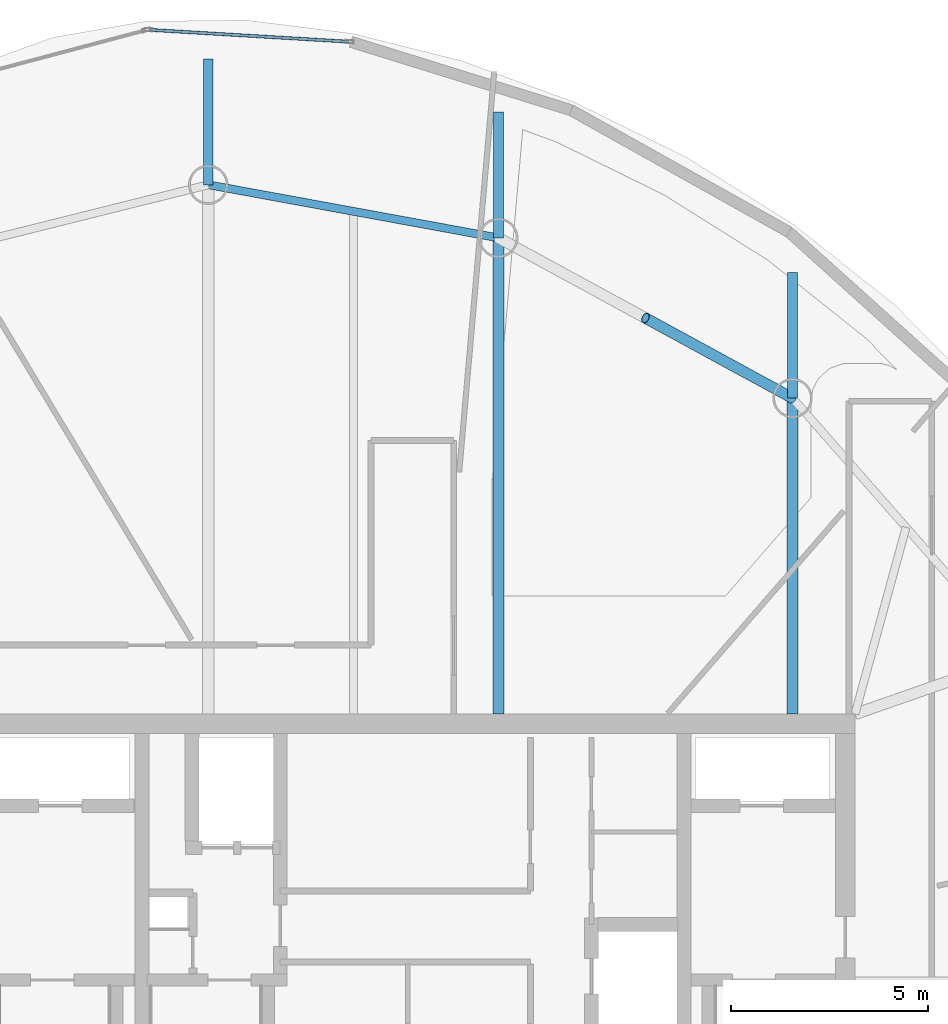
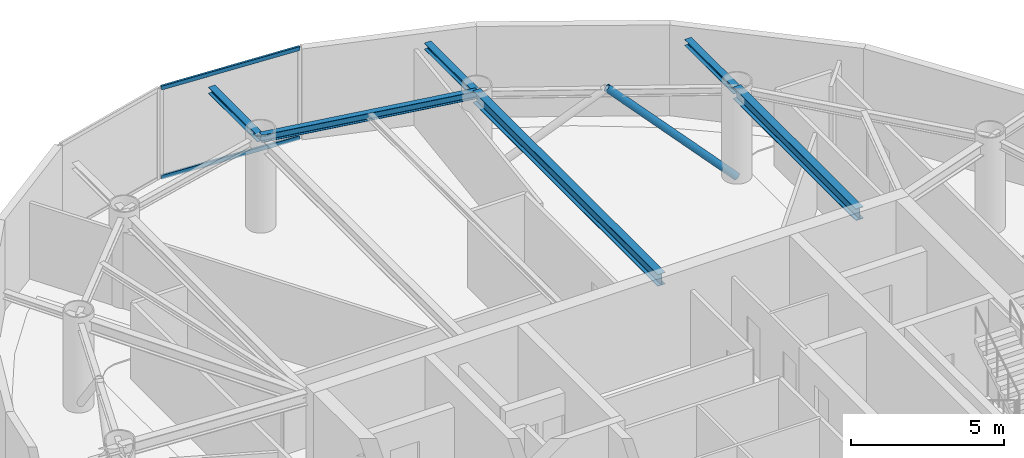
# One storey, part 10 of 19: 6 beams, 3 members, 1 element without a shape of its own.
"""IFC4 building model written with IfcOpenShell, lengths in metres."""

from ifc_helpers import new_model, si_unit, direction, frame, origin, origin_2d, place, context, subcontext, project, spatial, hollow_rectangle, hollow_circle, i_section, extrude, material, layer, layer_set, material_profile, profile_set, type_object, element, aggregate, save


model = new_model("IFC4")

# Units and contexts
model_context = context("Model", 3, precision=1e-05, world=origin(), true_north=direction((0.0, 1.0)))
body_context = subcontext(model_context, "Body", "Model", "MODEL_VIEW")
ifc_project = project(units=[si_unit("LENGTHUNIT", "METRE"), si_unit("AREAUNIT", "SQUARE_METRE"), si_unit("VOLUMEUNIT", "CUBIC_METRE"), si_unit("PLANEANGLEUNIT", "RADIAN"), si_unit("MASSUNIT", "GRAM", prefix="KILO")], contexts=[model_context])

# Site, building, storey
site_placement = place(None, origin())
site = spatial("IfcSite", under=ifc_project, at=site_placement, CompositionType="ELEMENT")
building_placement = place(site_placement, origin())
building = spatial("IfcBuilding", under=site, at=building_placement, Name="Bramvorn Convention Spire", CompositionType="ELEMENT")
storey_placement = place(building_placement, frame((0.0, 0.0, 292.10009765625)))
storey = spatial("IfcBuildingStorey", under=building, at=storey_placement, Name="L74", CompositionType="ELEMENT", Elevation=292.10009765625)

# Beams
ifc_material_1 = material(Name="Steel CSA G40.21 Grade 350 (350W)", Category="steel")
ifc_material_profile_1 = material_profile(ifc_material_1, i_section(OverallWidth=0.25390625, OverallDepth=0.2529296875, WebThickness=0.008544921875, FlangeThickness=0.01416015625, FilletRadius=0.011962890625, at=origin_2d()))
ifc_profile_set_1 = profile_set([ifc_material_profile_1], Name="Steel CSA G40.21 Grade 350 (350W) - W250X73")
beam_type_1 = type_object("IfcBeamType", Name="BM-W250X73", PredefinedType="BEAM", material=ifc_profile_set_1)
for number, where, z_axis, x_axis, name in (
    (1, (47.662353515625, 41.476806640625, 3.45849609375), (0.0, 1.0, 0.0), (-1.0, 0.0, 0.0), "L74 slab-edge cantilever tip beam MC06"),
    (2, (40.1845703125, 45.55078125, 3.45849609375), (0.0, 1.0, 0.0), (-1.0, 0.0, 0.0), "L74 slab-edge cantilever tip beam MC07"),
    (3, (32.8115234375, 46.90087890625, 3.45849609375), (0.0, 1.0, 0.0), (-1.0, 0.0, 0.0), "L74 slab-edge cantilever tip beam MC08"),
):
    element("IfcBeam", number, at=place(storey_placement, frame(where, z_axis=z_axis, x_axis=x_axis)), inside=storey, type_object=beam_type_1, Name=name, PredefinedType="BEAM", context=body_context, shape_type="SweptSolid", body=[
        extrude(i_section(OverallWidth=0.25390625, OverallDepth=0.2529296875, WebThickness=0.008544921875, FlangeThickness=0.01416015625, FilletRadius=0.011962890625, at=origin_2d()), origin(), (0.0, 0.0, 1.0), 3.199951171875),
    ])
ifc_material_profile_2 = material_profile(ifc_material_1, i_section(OverallWidth=0.202880859375, OverallDepth=0.302978515625, WebThickness=0.007568359375, FlangeThickness=0.01318359375, FilletRadius=0.013916015625, at=origin_2d()))
ifc_profile_set_2 = profile_set([ifc_material_profile_2], Name="Steel CSA G40.21 Grade 350 (350W) - W310X60")
beam_type_2 = type_object("IfcBeamType", Name="BM-W310X60", PredefinedType="JOIST", material=ifc_profile_set_2)
beam_1_placement = place(storey_placement, frame((40.1845703125, 45.55078125, 3.473388671875), z_axis=(-0.983645049461, 0.180117785547, 0.0), x_axis=(-0.180117785547, -0.983645049461, 0.0)))
element("IfcBeam", 4, at=beam_1_placement, inside=storey, type_object=beam_type_2, Name="L74 mega-column ring beam 07", PredefinedType="JOIST", context=body_context, shape_type="SweptSolid", body=[
    extrude(i_section(OverallWidth=0.202880859375, OverallDepth=0.302978515625, WebThickness=0.007568359375, FlangeThickness=0.01318359375, FilletRadius=0.013916015625, at=origin_2d()), origin(), (0.0, 0.0, 1.0), 7.49560546875),
])
ifc_material_profile_3 = material_profile(ifc_material_1, i_section(OverallWidth=0.283935546875, OverallDepth=0.47607421875, WebThickness=0.014892578125, FlangeThickness=0.02392578125, FilletRadius=0.01806640625, at=origin_2d()))
ifc_profile_set_3 = profile_set([ifc_material_profile_3], Name="Steel CSA G40.21 Grade 350 (350W) - W460X158")
beam_type_3 = type_object("IfcBeamType", Name="BM-W460X158", PredefinedType="SPANDREL", material=ifc_profile_set_3)
beam_2_placement = place(storey_placement, frame((47.662353515625, 33.449951171875, 3.386962890625), z_axis=(0.0, 1.0, 0.0), x_axis=(-1.0, 0.0, 0.0)))
element("IfcBeam", 5, at=beam_2_placement, inside=storey, type_object=beam_type_3, Name="L74 radial floor girder MC06", PredefinedType="SPANDREL", context=body_context, shape_type="SweptSolid", body=[
    extrude(i_section(OverallWidth=0.283935546875, OverallDepth=0.47607421875, WebThickness=0.014892578125, FlangeThickness=0.02392578125, FilletRadius=0.01806640625, at=origin_2d()), origin(), (0.0, 0.0, 1.0), 8.02685546875),
])
beam_3_placement = place(storey_placement, frame((40.1845703125, 33.449951171875, 3.386962890625), z_axis=(0.0, 1.0, 0.0), x_axis=(-1.0, 0.0, 0.0)))
element("IfcBeam", 6, at=beam_3_placement, inside=storey, type_object=beam_type_3, Name="L74 radial floor girder MC07", PredefinedType="SPANDREL", context=body_context, shape_type="SweptSolid", body=[
    extrude(i_section(OverallWidth=0.283935546875, OverallDepth=0.47607421875, WebThickness=0.014892578125, FlangeThickness=0.02392578125, FilletRadius=0.01806640625, at=origin_2d()), origin(), (0.0, 0.0, 1.0), 12.100830078125),
])

# Curtain wall, members
ifc_material_2 = material(Name="Anodised Bronze Unitised Curtain Wall", Category="aluminium")
ifc_layer = layer(ifc_material_2, 0.179931640625)
ifc_layer_set = layer_set([ifc_layer], Name="Anodised Bronze Unitised Curtain Wall - CW-OFF-FRIT")
curtain_wall_type = type_object("IfcCurtainWallType", Name="CW-OFF-FRIT", PredefinedType="USERDEFINED", material=ifc_layer_set)
curtain_wall_placement = place(storey_placement, origin())
curtain_wall = element("IfcCurtainWall", 7, at=curtain_wall_placement, inside=storey, type_object=curtain_wall_type, Name="L74 fritted glass curtain wall 11", ObjectType="UNITISED CURTAIN WALL", PredefinedType="USERDEFINED")
ifc_material_3 = material(Name="Anodised Bronze Aluminium 6063-T6", Category="aluminium")
ifc_material_profile_4 = material_profile(ifc_material_3, hollow_rectangle(XDim=0.080078125, YDim=0.159912109375, WallThickness=0.00390625, InnerFilletRadius=0.0009765625, OuterFilletRadius=0.00390625, at=origin_2d()))
ifc_profile_set_4 = profile_set([ifc_material_profile_4], Name="Anodised Bronze Aluminium 6063-T6 - CWT80X160")
member_type_1 = type_object("IfcMemberType", Name="CW-TRN-150", PredefinedType="USERDEFINED", material=ifc_profile_set_4)
member_1_placement = place(storey_placement, frame((31.32568359375, 50.837890625, 0.02978515625), z_axis=(0.998233867264, -0.059406617868, 0.0), x_axis=(0.059406617868, 0.998233867264, 0.0)))
member_1 = element("IfcMember", 8, at=member_1_placement, type_object=member_type_1, Name="CW3 transom 1.1", ObjectType="TRANSOM", PredefinedType="USERDEFINED", context=body_context, shape_type="SweptSolid", body=[
    extrude(hollow_rectangle(XDim=0.080078125, YDim=0.159912109375, WallThickness=0.00390625, InnerFilletRadius=0.0009765625, OuterFilletRadius=0.00390625, at=origin_2d()), origin(), (0.0, 0.0, 1.0), 5.05908203125),
])
member_2_placement = place(storey_placement, frame((31.32568359375, 50.837890625, 3.594970703125), z_axis=(0.998233867264, -0.059406617868, 0.0), x_axis=(0.059406617868, 0.998233867264, 0.0)))
member_2 = element("IfcMember", 9, at=member_2_placement, type_object=member_type_1, Name="CW3 transom 1.2", ObjectType="TRANSOM", PredefinedType="USERDEFINED", context=body_context, shape_type="SweptSolid", body=[
    extrude(hollow_rectangle(XDim=0.080078125, YDim=0.159912109375, WallThickness=0.00390625, InnerFilletRadius=0.0009765625, OuterFilletRadius=0.00390625, at=origin_2d()), origin(), (0.0, 0.0, 1.0), 5.05908203125),
])
aggregate(curtain_wall, [member_1, member_2])

# Member
ifc_material_profile_5 = material_profile(ifc_material_1, hollow_circle(Radius=0.136474609375, WallThickness=0.0126953125, at=origin_2d()))
ifc_profile_set_5 = profile_set([ifc_material_profile_5], Name="Steel CSA G40.21 Grade 350 (350W) - CHS273X13")
member_type_2 = type_object("IfcMemberType", Name="MBR-CHS273X13", PredefinedType="BRACE", material=ifc_profile_set_5)
member_3_placement = place(storey_placement, frame((47.662353515625, 41.476806640625, 0.0), z_axis=(-0.668634081548, 0.364288787231, 0.648245435379), x_axis=(-0.478426241072, -0.878127742332, 0.0)))
element("IfcMember", 10, at=member_3_placement, inside=storey, type_object=member_type_2, Name="L74 perimeter Gothic lancet brace 6A", PredefinedType="BRACE", context=body_context, shape_type="SweptSolid", body=[
    extrude(hollow_circle(Radius=0.136474609375, WallThickness=0.0126953125, at=origin_2d()), origin(), (0.0, 0.0, 1.0), 5.592041015625),
])

save(model, "model.ifc")
